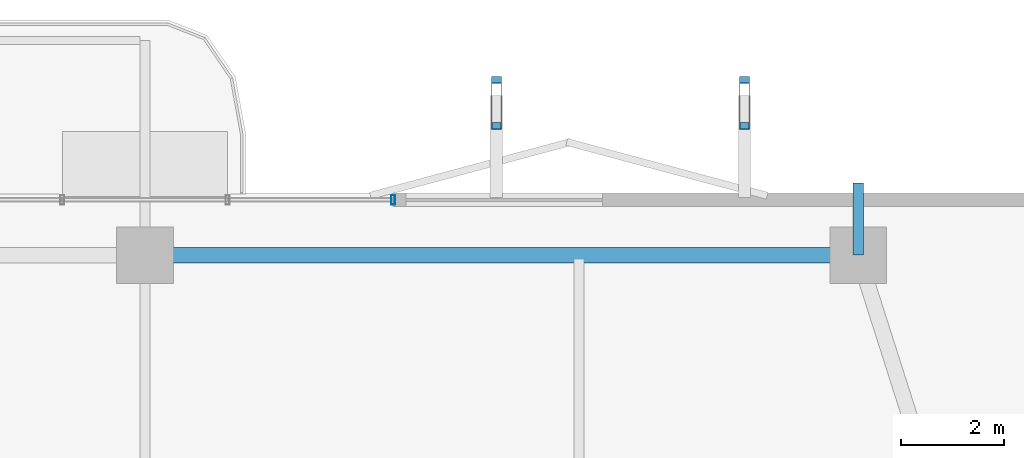
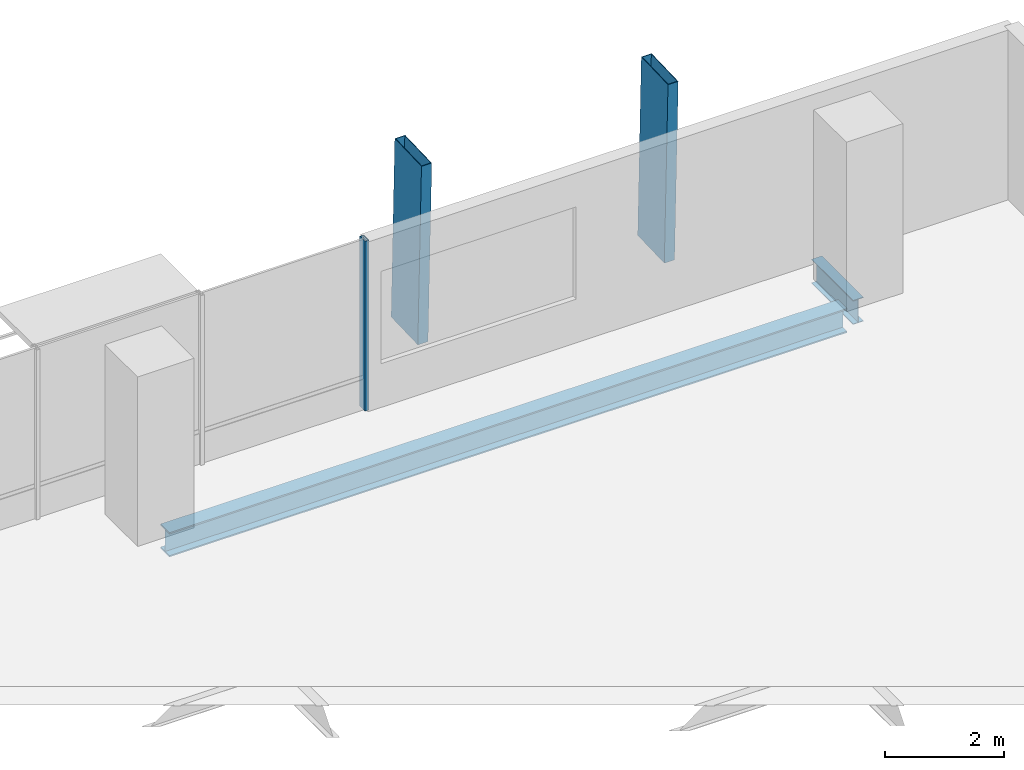
# One storey, part 16 of 25: 3 members, 2 beams, 1 element without a shape of its own.
"""IFC4 building model written with IfcOpenShell, lengths in metres."""

from ifc_helpers import new_model, si_unit, direction, frame, origin, origin_2d, place, context, subcontext, project, spatial, hollow_rectangle, i_section, extrude, material, layer, layer_set, material_profile, profile_set, type_object, element, aggregate, save


model = new_model("IFC4")

# Units and contexts
model_context = context("Model", 3, precision=1e-05, world=origin(), true_north=direction((0.0, 1.0)))
body_context = subcontext(model_context, "Body", "Model", "MODEL_VIEW")
ifc_project = project(units=[si_unit("LENGTHUNIT", "METRE"), si_unit("AREAUNIT", "SQUARE_METRE"), si_unit("VOLUMEUNIT", "CUBIC_METRE"), si_unit("PLANEANGLEUNIT", "RADIAN"), si_unit("MASSUNIT", "GRAM", prefix="KILO")], contexts=[model_context])

# Site, building, storey
site_placement = place(None, origin())
site = spatial("IfcSite", under=ifc_project, at=site_placement, CompositionType="ELEMENT")
building_placement = place(site_placement, origin())
building = spatial("IfcBuilding", under=site, at=building_placement, Name="Belovzor Exchange Tower", CompositionType="ELEMENT")
storey_placement = place(building_placement, frame((0.0, 0.0, 142.050048828125)))
storey = spatial("IfcBuildingStorey", under=building, at=storey_placement, Name="L34", CompositionType="ELEMENT", Elevation=142.050048828125)

# Beam
ifc_material_1 = material(Name="Steel S355", Category="steel")
ifc_material_profile_1 = material_profile(ifc_material_1, i_section(OverallWidth=0.199951171875, OverallDepth=0.5, WebThickness=0.01025390625, FlangeThickness=0.01611328125, at=origin_2d()))
ifc_profile_set_1 = profile_set([ifc_material_profile_1], Name="Steel S355")
beam_type_1 = type_object("IfcBeamType", Name="Planted Balcony Cantilever Beam IPE 500", PredefinedType="BEAM", material=ifc_profile_set_1)
beam_1_placement = place(storey_placement, frame((42.60009765625, 51.89990234375, -0.505126953125), z_axis=(0.0, 1.0, 0.0), x_axis=(-1.0, 0.0, 0.0)))
element("IfcBeam", 1, at=beam_1_placement, inside=storey, type_object=beam_type_1, Name="BC-500 Planted Balcony Cantilever Beam IPE 500", PredefinedType="BEAM", context=body_context, shape_type="SweptSolid", body=[
    extrude(i_section(OverallWidth=0.199951171875, OverallDepth=0.5, WebThickness=0.01025390625, FlangeThickness=0.01611328125, at=origin_2d()), origin(), (0.0, 0.0, 1.0), 1.400146484375),
])

# Members
ifc_material_2 = material(Name="Extruded Architectural Terracotta on Steel S355 Carrier", Category="masonry")
ifc_material_profile_2 = material_profile(ifc_material_2, hollow_rectangle(XDim=0.199951171875, YDim=0.89990234375, WallThickness=0.011962890625, at=origin_2d()))
ifc_profile_set_2 = profile_set([ifc_material_profile_2], Name="Extruded Architectural Terracotta on Steel S355 Carrier")
member_type_1 = type_object("IfcMemberType", Name="Sweeping Terracotta Baguette Fin Assembly 1250", PredefinedType="USERDEFINED", material=ifc_profile_set_2)
for number, where, z_axis, x_axis, name in (
    (2, (35.60009765625, 54.906982421875, -0.255126953125), (0.0, -0.033054843619, 0.999453539347), (1.0, 0.0, 0.0), "FIN-TC125 Terracotta Facade Fin L34 N3"),
    (3, (40.39990234375, 54.906982421875, -0.255126953125), (0.0, -0.033054843619, 0.999453539347), (1.0, 0.0, 0.0), "FIN-TC125 Terracotta Facade Fin L34 N4"),
):
    element("IfcMember", number, at=place(storey_placement, frame(where, z_axis=z_axis, x_axis=x_axis)), inside=storey, type_object=member_type_1, Name=name, ObjectType="FIN", PredefinedType="USERDEFINED", context=body_context, shape_type="SweptSolid", body=[
        extrude(hollow_rectangle(XDim=0.199951171875, YDim=0.89990234375, WallThickness=0.011962890625, at=origin_2d()), origin(), (0.0, 0.0, 1.0), 3.751953125),
    ])

# Curtain wall, member
ifc_material_3 = material(Name="Anodised Aluminium Framing", Category="aluminium")
ifc_layer = layer(ifc_material_3, 0.179931640625)
ifc_layer_set = layer_set([ifc_layer], Name="Anodised Aluminium Framing")
curtain_wall_type = type_object("IfcCurtainWallType", Name="Recessed Loggia Low-Iron Triple-Glazed Curtain Wall", PredefinedType="NOTDEFINED", material=ifc_layer_set)
curtain_wall_placement = place(storey_placement, origin())
curtain_wall = element("IfcCurtainWall", 4, at=curtain_wall_placement, inside=storey, type_object=curtain_wall_type, Name="CW3 Recessed Loggia Low-Iron Triple-Glazed Curtain Wall L34", PredefinedType="NOTDEFINED")
ifc_material_4 = material(Name="Steel S355", Category="steel")
ifc_material_profile_3 = material_profile(ifc_material_4, hollow_rectangle(XDim=0.074951171875, YDim=0.179931640625, WallThickness=0.0048828125, at=origin_2d()))
ifc_profile_set_3 = profile_set([ifc_material_profile_3], Name="Steel S355")
member_type_2 = type_object("IfcMemberType", Name="Thermally Broken Curtain Wall Mullion 180x75", PredefinedType="MULLION", material=ifc_profile_set_3)
member_placement = place(storey_placement, frame((33.60009765625, 52.969970703125, 0.0), z_axis=(0.0, 0.0, 1.0), x_axis=(1.0, 0.0, 0.0)))
member = element("IfcMember", 5, at=member_placement, type_object=member_type_2, Name="CW-M180 Curtain Wall Mullion 4", PredefinedType="MULLION", context=body_context, shape_type="SweptSolid", body=[
    extrude(hollow_rectangle(XDim=0.074951171875, YDim=0.179931640625, WallThickness=0.0048828125, at=origin_2d()), origin(), (0.0, 0.0, 1.0), 3.494873046875),
])
aggregate(curtain_wall, [member])

# Beam
ifc_material_5 = material(Name="Steel S355", Category="steel")
ifc_material_profile_4 = material_profile(ifc_material_5, i_section(OverallWidth=0.300048828125, OverallDepth=0.5, WebThickness=0.014404296875, FlangeThickness=0.028076171875, at=origin_2d()))
ifc_profile_set_4 = profile_set([ifc_material_profile_4], Name="Steel S355")
beam_type_2 = type_object("IfcBeamType", Name="Zone 3 Waist Primary Girder HEB 500", PredefinedType="BEAM", material=ifc_profile_set_4)
beam_2_placement = place(storey_placement, frame((42.297119140625, 51.89990234375, -0.505126953125), z_axis=(-1.0, 0.0, 0.0), x_axis=(0.0, -1.0, 0.0)))
element("IfcBeam", 6, at=beam_2_placement, inside=storey, type_object=beam_type_2, Name="FG-Z3 Zone 3 Waist Primary Girder HEB 500", PredefinedType="BEAM", context=body_context, shape_type="SweptSolid", body=[
    extrude(i_section(OverallWidth=0.300048828125, OverallDepth=0.5, WebThickness=0.014404296875, FlangeThickness=0.028076171875, at=origin_2d()), origin(), (0.0, 0.0, 1.0), 13.195068359375),
])

save(model, "model.ifc")
